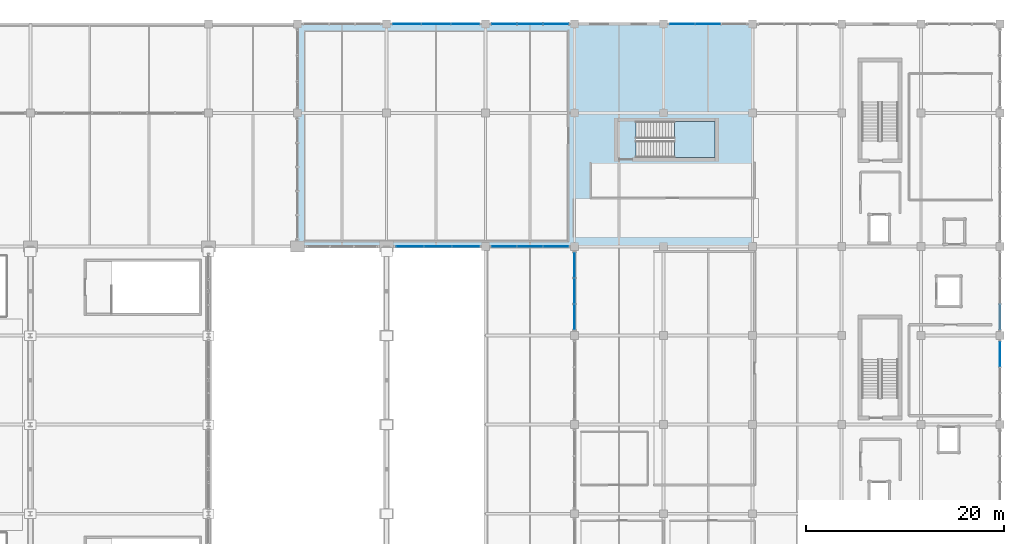
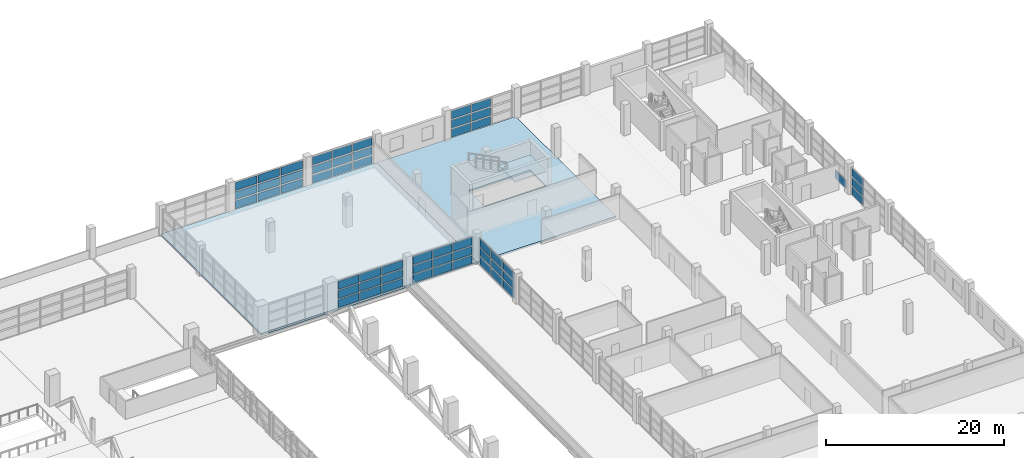
# One storey, part 114 of 136: 55 plates, 3 slabs, 9 elements without a shape of their own.
"""IFC4 building model written with IfcOpenShell, lengths in metres."""

from ifc_helpers import new_model, si_unit, direction, frame, origin, origin_2d, place, context, subcontext, project, spatial, polyline, rectangle, outline, extrude, material, layer, layer_set, type_object, element, aggregate, save


model = new_model("IFC4")

# Units and contexts
model_context = context("Model", 3, precision=1e-05, world=origin(), true_north=direction((0.0, 1.0)))
body_context = subcontext(model_context, "Body", "Model", "MODEL_VIEW")
ifc_project = project(units=[si_unit("LENGTHUNIT", "METRE"), si_unit("AREAUNIT", "SQUARE_METRE"), si_unit("VOLUMEUNIT", "CUBIC_METRE"), si_unit("PLANEANGLEUNIT", "RADIAN"), si_unit("MASSUNIT", "GRAM", prefix="KILO")], contexts=[model_context])

# Site, building, storey
site_placement = place(None, origin())
site = spatial("IfcSite", under=ifc_project, at=site_placement, CompositionType="ELEMENT")
building_placement = place(site_placement, origin())
building = spatial("IfcBuilding", under=site, at=building_placement, Name="Chuanluo Vaults Station", CompositionType="ELEMENT")
storey_placement = place(building_placement, frame((0.0, 0.0, 6.60009765625)))
storey = spatial("IfcBuildingStorey", under=building, at=storey_placement, Name="L01", CompositionType="ELEMENT", Elevation=6.60009765625)

# Curtain wall, plates
ifc_material_1 = material(Name="Anodised aluminium 6063-T6", Category="aluminium")
curtain_wall_type_1 = type_object("IfcCurtainWallType", Name="CW-SYS-13", PredefinedType="NOTDEFINED", material=ifc_material_1)
curtain_wall_1_placement = place(storey_placement, origin())
curtain_wall_1 = element("IfcCurtainWall", 1, at=curtain_wall_1_placement, inside=storey, type_object=curtain_wall_type_1, Name="Operations L01 facade CW", PredefinedType="NOTDEFINED")
ifc_material_2 = material(Name="Ceramic-fritted spandrel glass", Category="glass")
ifc_layer_1 = layer(ifc_material_2, 0.06396484375)
ifc_layer_set_1 = layer_set([ifc_layer_1], Name="Ceramic-fritted spandrel glass")
plate_type_1 = type_object("IfcPlateType", Name="CWP-SPN-42", PredefinedType="SHEET", material=ifc_layer_set_1)
plate_1_placement = place(storey_placement, frame((145.0, 96.38330078125, 0.080078125), z_axis=(0.0, 0.0, 1.0), x_axis=(0.0, 1.0, 0.0)))
plate_1 = element("IfcPlate", 2, at=plate_1_placement, type_object=plate_type_1, Name="Operations L01 facade CW glazed panel 1.1", PredefinedType="SHEET", context=body_context, shape_type="SweptSolid", body=[
    extrude(rectangle(XDim=2.456787109375, YDim=0.06396484375, at=origin_2d()), origin(), (0.0, 0.0, 1.0), 1.090087890625),
])
plate_2_placement = place(storey_placement, frame((145.0, 99.0, 0.080078125), z_axis=(0.0, 0.0, 1.0), x_axis=(0.0, 1.0, 0.0)))
plate_2 = element("IfcPlate", 3, at=plate_2_placement, type_object=plate_type_1, Name="Operations L01 facade CW glazed panel 2.1", PredefinedType="SHEET", context=body_context, shape_type="SweptSolid", body=[
    extrude(rectangle(XDim=2.456787109375, YDim=0.06396484375, at=origin_2d()), origin(), (0.0, 0.0, 1.0), 1.090087890625),
])
plate_3_placement = place(storey_placement, frame((145.0, 101.61669921875, 0.080078125), z_axis=(0.0, 0.0, 1.0), x_axis=(0.0, 1.0, 0.0)))
plate_3 = element("IfcPlate", 4, at=plate_3_placement, type_object=plate_type_1, Name="Operations L01 facade CW glazed panel 3.1", PredefinedType="SHEET", context=body_context, shape_type="SweptSolid", body=[
    extrude(rectangle(XDim=2.456787109375, YDim=0.06396484375, at=origin_2d()), origin(), (0.0, 0.0, 1.0), 1.090087890625),
])

ifc_material_3 = material(Name="Anodised aluminium 6063-T6", Category="aluminium")
curtain_wall_type_2 = type_object("IfcCurtainWallType", Name="CW-SYS-15", PredefinedType="NOTDEFINED", material=ifc_material_3)
curtain_wall_2_placement = place(storey_placement, origin())
curtain_wall_2 = element("IfcCurtainWall", 5, at=curtain_wall_2_placement, inside=storey, type_object=curtain_wall_type_2, Name="Operations L01 facade CW part 2", PredefinedType="NOTDEFINED")
plate_4_placement = place(storey_placement, frame((134.00830078125, 103.5, 0.080078125), z_axis=(0.0, 0.0, 1.0), x_axis=(-1.0, 0.0, 0.0)))
plate_4 = element("IfcPlate", 6, at=plate_4_placement, type_object=plate_type_1, Name="Operations L01 facade CW part 2 glazed panel 1.1", PredefinedType="SHEET", context=body_context, shape_type="SweptSolid", body=[
    extrude(rectangle(XDim=2.67333984375, YDim=0.06396484375, at=origin_2d()), origin(), (0.0, 0.0, 1.0), 1.090087890625),
])
plate_5_placement = place(storey_placement, frame((131.175048828125, 103.5, 0.080078125), z_axis=(0.0, 0.0, 1.0), x_axis=(-1.0, 0.0, 0.0)))
plate_5 = element("IfcPlate", 7, at=plate_5_placement, type_object=plate_type_1, Name="Operations L01 facade CW part 2 glazed panel 2.1", PredefinedType="SHEET", context=body_context, shape_type="SweptSolid", body=[
    extrude(rectangle(XDim=2.67333984375, YDim=0.06396484375, at=origin_2d()), origin(), (0.0, 0.0, 1.0), 1.090087890625),
])
plate_6_placement = place(storey_placement, frame((128.341552734375, 103.5, 0.080078125), z_axis=(0.0, 0.0, 1.0), x_axis=(-1.0, 0.0, 0.0)))
plate_6 = element("IfcPlate", 8, at=plate_6_placement, type_object=plate_type_1, Name="Operations L01 facade CW part 2 glazed panel 3.1", PredefinedType="SHEET", context=body_context, shape_type="SweptSolid", body=[
    extrude(rectangle(XDim=2.67333984375, YDim=0.06396484375, at=origin_2d()), origin(), (0.0, 0.0, 1.0), 1.090087890625),
])

ifc_material_4 = material(Name="Anodised aluminium 6063-T6", Category="aluminium")
curtain_wall_type_3 = type_object("IfcCurtainWallType", Name="CW-SYS-21", PredefinedType="NOTDEFINED", material=ifc_material_4)
curtain_wall_3_placement = place(storey_placement, origin())
curtain_wall_3 = element("IfcCurtainWall", 9, at=curtain_wall_3_placement, inside=storey, type_object=curtain_wall_type_3, Name="Operations L01 facade CW", PredefinedType="NOTDEFINED")
plate_7_placement = place(storey_placement, frame((137.88330078125, 126.0, 0.080078125), z_axis=(0.0, 0.0, 1.0), x_axis=(1.0, 0.0, 0.0)))
plate_7 = element("IfcPlate", 10, at=plate_7_placement, type_object=plate_type_1, Name="Operations L01 facade CW glazed panel 1.1", PredefinedType="SHEET", context=body_context, shape_type="SweptSolid", body=[
    extrude(rectangle(XDim=2.456787109375, YDim=0.06396484375, at=origin_2d()), origin(), (0.0, 0.0, 1.0), 1.090087890625),
])
plate_8_placement = place(storey_placement, frame((140.5, 126.0, 0.080078125), z_axis=(0.0, 0.0, 1.0), x_axis=(1.0, 0.0, 0.0)))
plate_8 = element("IfcPlate", 11, at=plate_8_placement, type_object=plate_type_1, Name="Operations L01 facade CW glazed panel 2.1", PredefinedType="SHEET", context=body_context, shape_type="SweptSolid", body=[
    extrude(rectangle(XDim=2.456787109375, YDim=0.06396484375, at=origin_2d()), origin(), (0.0, 0.0, 1.0), 1.090087890625),
])
plate_9_placement = place(storey_placement, frame((143.11669921875, 126.0, 0.080078125), z_axis=(0.0, 0.0, 1.0), x_axis=(1.0, 0.0, 0.0)))
plate_9 = element("IfcPlate", 12, at=plate_9_placement, type_object=plate_type_1, Name="Operations L01 facade CW glazed panel 3.1", PredefinedType="SHEET", context=body_context, shape_type="SweptSolid", body=[
    extrude(rectangle(XDim=2.456787109375, YDim=0.06396484375, at=origin_2d()), origin(), (0.0, 0.0, 1.0), 1.090087890625),
])

# Curtain wall, plate
ifc_material_5 = material(Name="Anodised aluminium 6063-T6", Category="aluminium")
curtain_wall_type_4 = type_object("IfcCurtainWallType", Name="CW-SYS-27", PredefinedType="NOTDEFINED", material=ifc_material_5)
curtain_wall_4_placement = place(storey_placement, origin())
curtain_wall_4 = element("IfcCurtainWall", 13, at=curtain_wall_4_placement, inside=storey, type_object=curtain_wall_type_4, Name="Operations L01 facade CW", PredefinedType="NOTDEFINED")
plate_10_placement = place(storey_placement, frame((188.0, 96.38330078125, 0.080078125), z_axis=(0.0, 0.0, 1.0), x_axis=(0.0, -1.0, 0.0)))
plate_10 = element("IfcPlate", 14, at=plate_10_placement, type_object=plate_type_1, Name="Operations L01 facade CW glazed panel 3.1", PredefinedType="SHEET", context=body_context, shape_type="SweptSolid", body=[
    extrude(rectangle(XDim=2.456787109375, YDim=0.06396484375, at=origin_2d()), origin(), (0.0, 0.0, 1.0), 1.090087890625),
])
aggregate(curtain_wall_4, [plate_10])

# Curtain wall, plates
ifc_material_6 = material(Name="Anodised aluminium 6063-T6", Category="aluminium")
curtain_wall_type_5 = type_object("IfcCurtainWallType", Name="CW-SYS-14", PredefinedType="NOTDEFINED", material=ifc_material_6)
curtain_wall_5_placement = place(storey_placement, origin())
curtain_wall_5 = element("IfcCurtainWall", 15, at=curtain_wall_5_placement, inside=storey, type_object=curtain_wall_type_5, Name="Operations L01 facade CW part 1", PredefinedType="NOTDEFINED")
ifc_material_7 = material(Name="Ceramic-fritted spandrel glass", Category="glass")
ifc_layer_2 = layer(ifc_material_7, 0.070068359375)
ifc_layer_set_2 = layer_set([ifc_layer_2], Name="Ceramic-fritted spandrel glass")
plate_type_2 = type_object("IfcPlateType", Name="CWP-SPN-50", PredefinedType="SHEET", material=ifc_layer_set_2)
plate_11_placement = place(storey_placement, frame((143.11669921875, 103.5, 0.080078125), z_axis=(0.0, 0.0, 1.0), x_axis=(-1.0, 0.0, 0.0)))
plate_11 = element("IfcPlate", 16, at=plate_11_placement, type_object=plate_type_2, Name="Operations L01 facade CW part 1 glazed panel 1.1", PredefinedType="SHEET", context=body_context, shape_type="SweptSolid", body=[
    extrude(rectangle(XDim=2.456787109375, YDim=0.070068359375, at=origin_2d()), origin(), (0.0, 0.0, 1.0), 1.090087890625),
])
plate_12_placement = place(storey_placement, frame((140.5, 103.5, 0.080078125), z_axis=(0.0, 0.0, 1.0), x_axis=(-1.0, 0.0, 0.0)))
plate_12 = element("IfcPlate", 17, at=plate_12_placement, type_object=plate_type_2, Name="Operations L01 facade CW part 1 glazed panel 2.1", PredefinedType="SHEET", context=body_context, shape_type="SweptSolid", body=[
    extrude(rectangle(XDim=2.456787109375, YDim=0.070068359375, at=origin_2d()), origin(), (0.0, 0.0, 1.0), 1.090087890625),
])
plate_13_placement = place(storey_placement, frame((137.88330078125, 103.5, 0.080078125), z_axis=(0.0, 0.0, 1.0), x_axis=(-1.0, 0.0, 0.0)))
plate_13 = element("IfcPlate", 18, at=plate_13_placement, type_object=plate_type_2, Name="Operations L01 facade CW part 1 glazed panel 3.1", PredefinedType="SHEET", context=body_context, shape_type="SweptSolid", body=[
    extrude(rectangle(XDim=2.456787109375, YDim=0.070068359375, at=origin_2d()), origin(), (0.0, 0.0, 1.0), 1.090087890625),
])

ifc_material_8 = material(Name="Anodised aluminium 6063-T6", Category="aluminium")
curtain_wall_type_6 = type_object("IfcCurtainWallType", Name="CW-SYS-20", PredefinedType="NOTDEFINED", material=ifc_material_8)
curtain_wall_6_placement = place(storey_placement, origin())
curtain_wall_6 = element("IfcCurtainWall", 19, at=curtain_wall_6_placement, inside=storey, type_object=curtain_wall_type_6, Name="Operations L01 facade CW", PredefinedType="NOTDEFINED")
plate_14_placement = place(storey_placement, frame((128.050048828125, 126.0, 0.080078125), z_axis=(0.0, 0.0, 1.0), x_axis=(1.0, 0.0, 0.0)))
plate_14 = element("IfcPlate", 20, at=plate_14_placement, type_object=plate_type_2, Name="Operations L01 facade CW glazed panel 1.1", PredefinedType="SHEET", context=body_context, shape_type="SweptSolid", body=[
    extrude(rectangle(XDim=2.7900390625, YDim=0.070068359375, at=origin_2d()), origin(), (0.0, 0.0, 1.0), 1.090087890625),
])
plate_15_placement = place(storey_placement, frame((131.0, 126.0, 0.080078125), z_axis=(0.0, 0.0, 1.0), x_axis=(1.0, 0.0, 0.0)))
plate_15 = element("IfcPlate", 21, at=plate_15_placement, type_object=plate_type_2, Name="Operations L01 facade CW glazed panel 2.1", PredefinedType="SHEET", context=body_context, shape_type="SweptSolid", body=[
    extrude(rectangle(XDim=2.7900390625, YDim=0.070068359375, at=origin_2d()), origin(), (0.0, 0.0, 1.0), 1.090087890625),
])
plate_16_placement = place(storey_placement, frame((133.949951171875, 126.0, 0.080078125), z_axis=(0.0, 0.0, 1.0), x_axis=(1.0, 0.0, 0.0)))
plate_16 = element("IfcPlate", 22, at=plate_16_placement, type_object=plate_type_2, Name="Operations L01 facade CW glazed panel 3.1", PredefinedType="SHEET", context=body_context, shape_type="SweptSolid", body=[
    extrude(rectangle(XDim=2.7900390625, YDim=0.070068359375, at=origin_2d()), origin(), (0.0, 0.0, 1.0), 1.090087890625),
])

ifc_material_9 = material(Name="Anodised aluminium 6063-T6", Category="aluminium")
curtain_wall_type_7 = type_object("IfcCurtainWallType", Name="CW-SYS-22", PredefinedType="NOTDEFINED", material=ifc_material_9)
curtain_wall_7_placement = place(storey_placement, origin())
curtain_wall_7 = element("IfcCurtainWall", 23, at=curtain_wall_7_placement, inside=storey, type_object=curtain_wall_type_7, Name="Operations L01 facade CW", PredefinedType="NOTDEFINED")
plate_17_placement = place(storey_placement, frame((155.88330078125, 126.0, 0.080078125), z_axis=(0.0, 0.0, 1.0), x_axis=(1.0, 0.0, 0.0)))
plate_17 = element("IfcPlate", 24, at=plate_17_placement, type_object=plate_type_2, Name="Operations L01 facade CW glazed panel 1.1", PredefinedType="SHEET", context=body_context, shape_type="SweptSolid", body=[
    extrude(rectangle(XDim=2.456787109375, YDim=0.070068359375, at=origin_2d()), origin(), (0.0, 0.0, 1.0), 1.090087890625),
])
plate_18_placement = place(storey_placement, frame((158.5, 126.0, 0.080078125), z_axis=(0.0, 0.0, 1.0), x_axis=(1.0, 0.0, 0.0)))
plate_18 = element("IfcPlate", 25, at=plate_18_placement, type_object=plate_type_2, Name="Operations L01 facade CW glazed panel 2.1", PredefinedType="SHEET", context=body_context, shape_type="SweptSolid", body=[
    extrude(rectangle(XDim=2.456787109375, YDim=0.070068359375, at=origin_2d()), origin(), (0.0, 0.0, 1.0), 1.090087890625),
])

# Curtain wall, plate
ifc_material_10 = material(Name="Anodised aluminium 6063-T6", Category="aluminium")
curtain_wall_type_8 = type_object("IfcCurtainWallType", Name="CW-SYS-26", PredefinedType="NOTDEFINED", material=ifc_material_10)
curtain_wall_8_placement = place(storey_placement, origin())
curtain_wall_8 = element("IfcCurtainWall", 26, at=curtain_wall_8_placement, inside=storey, type_object=curtain_wall_type_8, Name="Operations L01 facade CW", PredefinedType="NOTDEFINED")
plate_19_placement = place(storey_placement, frame((188.0, 92.61669921875, 0.080078125), z_axis=(0.0, 0.0, 1.0), x_axis=(0.0, -1.0, 0.0)))
plate_19 = element("IfcPlate", 27, at=plate_19_placement, type_object=plate_type_2, Name="Operations L01 facade CW glazed panel 1.1", PredefinedType="SHEET", context=body_context, shape_type="SweptSolid", body=[
    extrude(rectangle(XDim=2.456787109375, YDim=0.070068359375, at=origin_2d()), origin(), (0.0, 0.0, 1.0), 1.090087890625),
])

# Plate
ifc_material_11 = material(Name="Double-silver Low-E laminated glass", Category="glass")
ifc_layer_3 = layer(ifc_material_11, 0.0439453125)
ifc_layer_set_3 = layer_set([ifc_layer_3], Name="Double-silver Low-E laminated glass")
plate_type_3 = type_object("IfcPlateType", Name="CWP-VIS-28", PredefinedType="CURTAIN_PANEL", material=ifc_layer_set_3)
plate_20_placement = place(storey_placement, frame((128.050048828125, 126.0, 1.330078125), z_axis=(0.0, 0.0, 1.0), x_axis=(1.0, 0.0, 0.0)))
plate_20 = element("IfcPlate", 28, at=plate_20_placement, type_object=plate_type_3, Name="Operations L01 facade CW glazed panel 1.2", PredefinedType="CURTAIN_PANEL", context=body_context, shape_type="SweptSolid", body=[
    extrude(rectangle(XDim=2.7900390625, YDim=0.0439453125, at=origin_2d()), origin(), (0.0, 0.0, 1.0), 1.090087890625),
])

plate_21_placement = place(storey_placement, frame((128.050048828125, 126.0, 2.580078125), z_axis=(0.0, 0.0, 1.0), x_axis=(1.0, 0.0, 0.0)))
plate_21 = element("IfcPlate", 29, at=plate_21_placement, type_object=plate_type_3, Name="Operations L01 facade CW glazed panel 1.3", PredefinedType="CURTAIN_PANEL", context=body_context, shape_type="SweptSolid", body=[
    extrude(rectangle(XDim=2.7900390625, YDim=0.0439453125, at=origin_2d()), origin(), (0.0, 0.0, 1.0), 1.090087890625),
])

plate_22_placement = place(storey_placement, frame((131.0, 126.0, 1.330078125), z_axis=(0.0, 0.0, 1.0), x_axis=(1.0, 0.0, 0.0)))
plate_22 = element("IfcPlate", 30, at=plate_22_placement, type_object=plate_type_3, Name="Operations L01 facade CW glazed panel 2.2", PredefinedType="CURTAIN_PANEL", context=body_context, shape_type="SweptSolid", body=[
    extrude(rectangle(XDim=2.7900390625, YDim=0.0439453125, at=origin_2d()), origin(), (0.0, 0.0, 1.0), 1.090087890625),
])

plate_23_placement = place(storey_placement, frame((131.0, 126.0, 2.580078125), z_axis=(0.0, 0.0, 1.0), x_axis=(1.0, 0.0, 0.0)))
plate_23 = element("IfcPlate", 31, at=plate_23_placement, type_object=plate_type_3, Name="Operations L01 facade CW glazed panel 2.3", PredefinedType="CURTAIN_PANEL", context=body_context, shape_type="SweptSolid", body=[
    extrude(rectangle(XDim=2.7900390625, YDim=0.0439453125, at=origin_2d()), origin(), (0.0, 0.0, 1.0), 1.090087890625),
])

plate_24_placement = place(storey_placement, frame((133.949951171875, 126.0, 1.330078125), z_axis=(0.0, 0.0, 1.0), x_axis=(1.0, 0.0, 0.0)))
plate_24 = element("IfcPlate", 32, at=plate_24_placement, type_object=plate_type_3, Name="Operations L01 facade CW glazed panel 3.2", PredefinedType="CURTAIN_PANEL", context=body_context, shape_type="SweptSolid", body=[
    extrude(rectangle(XDim=2.7900390625, YDim=0.0439453125, at=origin_2d()), origin(), (0.0, 0.0, 1.0), 1.090087890625),
])

plate_25_placement = place(storey_placement, frame((133.949951171875, 126.0, 2.580078125), z_axis=(0.0, 0.0, 1.0), x_axis=(1.0, 0.0, 0.0)))
plate_25 = element("IfcPlate", 33, at=plate_25_placement, type_object=plate_type_3, Name="Operations L01 facade CW glazed panel 3.3", PredefinedType="CURTAIN_PANEL", context=body_context, shape_type="SweptSolid", body=[
    extrude(rectangle(XDim=2.7900390625, YDim=0.0439453125, at=origin_2d()), origin(), (0.0, 0.0, 1.0), 1.090087890625),
])

aggregate(curtain_wall_6, [plate_14, plate_20, plate_21, plate_15, plate_22, plate_23, plate_16, plate_24, plate_25])

ifc_material_12 = material(Name="Double-silver Low-E laminated glass", Category="glass")
ifc_layer_4 = layer(ifc_material_12, 0.048095703125)
ifc_layer_set_4 = layer_set([ifc_layer_4], Name="Double-silver Low-E laminated glass")
plate_type_4 = type_object("IfcPlateType", Name="CWP-VIS-32", PredefinedType="CURTAIN_PANEL", material=ifc_layer_set_4)
plate_26_placement = place(storey_placement, frame((134.00830078125, 103.5, 1.330078125), z_axis=(0.0, 0.0, 1.0), x_axis=(-1.0, 0.0, 0.0)))
plate_26 = element("IfcPlate", 34, at=plate_26_placement, type_object=plate_type_4, Name="Operations L01 facade CW part 2 glazed panel 1.2", PredefinedType="CURTAIN_PANEL", context=body_context, shape_type="SweptSolid", body=[
    extrude(rectangle(XDim=2.67333984375, YDim=0.048095703125, at=origin_2d()), origin(), (0.0, 0.0, 1.0), 1.090087890625),
])

plate_27_placement = place(storey_placement, frame((134.00830078125, 103.5, 2.580078125), z_axis=(0.0, 0.0, 1.0), x_axis=(-1.0, 0.0, 0.0)))
plate_27 = element("IfcPlate", 35, at=plate_27_placement, type_object=plate_type_4, Name="Operations L01 facade CW part 2 glazed panel 1.3", PredefinedType="CURTAIN_PANEL", context=body_context, shape_type="SweptSolid", body=[
    extrude(rectangle(XDim=2.67333984375, YDim=0.048095703125, at=origin_2d()), origin(), (0.0, 0.0, 1.0), 1.090087890625),
])

plate_28_placement = place(storey_placement, frame((131.175048828125, 103.5, 1.330078125), z_axis=(0.0, 0.0, 1.0), x_axis=(-1.0, 0.0, 0.0)))
plate_28 = element("IfcPlate", 36, at=plate_28_placement, type_object=plate_type_4, Name="Operations L01 facade CW part 2 glazed panel 2.2", PredefinedType="CURTAIN_PANEL", context=body_context, shape_type="SweptSolid", body=[
    extrude(rectangle(XDim=2.67333984375, YDim=0.048095703125, at=origin_2d()), origin(), (0.0, 0.0, 1.0), 1.090087890625),
])

plate_29_placement = place(storey_placement, frame((131.175048828125, 103.5, 2.580078125), z_axis=(0.0, 0.0, 1.0), x_axis=(-1.0, 0.0, 0.0)))
plate_29 = element("IfcPlate", 37, at=plate_29_placement, type_object=plate_type_4, Name="Operations L01 facade CW part 2 glazed panel 2.3", PredefinedType="CURTAIN_PANEL", context=body_context, shape_type="SweptSolid", body=[
    extrude(rectangle(XDim=2.67333984375, YDim=0.048095703125, at=origin_2d()), origin(), (0.0, 0.0, 1.0), 1.090087890625),
])

plate_30_placement = place(storey_placement, frame((128.341552734375, 103.5, 1.330078125), z_axis=(0.0, 0.0, 1.0), x_axis=(-1.0, 0.0, 0.0)))
plate_30 = element("IfcPlate", 38, at=plate_30_placement, type_object=plate_type_4, Name="Operations L01 facade CW part 2 glazed panel 3.2", PredefinedType="CURTAIN_PANEL", context=body_context, shape_type="SweptSolid", body=[
    extrude(rectangle(XDim=2.67333984375, YDim=0.048095703125, at=origin_2d()), origin(), (0.0, 0.0, 1.0), 1.090087890625),
])

plate_31_placement = place(storey_placement, frame((128.341552734375, 103.5, 2.580078125), z_axis=(0.0, 0.0, 1.0), x_axis=(-1.0, 0.0, 0.0)))
plate_31 = element("IfcPlate", 39, at=plate_31_placement, type_object=plate_type_4, Name="Operations L01 facade CW part 2 glazed panel 3.3", PredefinedType="CURTAIN_PANEL", context=body_context, shape_type="SweptSolid", body=[
    extrude(rectangle(XDim=2.67333984375, YDim=0.048095703125, at=origin_2d()), origin(), (0.0, 0.0, 1.0), 1.090087890625),
])

aggregate(curtain_wall_2, [plate_4, plate_26, plate_27, plate_5, plate_28, plate_29, plate_6, plate_30, plate_31])

ifc_material_13 = material(Name="Double-silver Low-E laminated glass", Category="glass")
ifc_layer_5 = layer(ifc_material_13, 0.053955078125)
ifc_layer_set_5 = layer_set([ifc_layer_5], Name="Double-silver Low-E laminated glass")
plate_type_5 = type_object("IfcPlateType", Name="CWP-VIS-36", PredefinedType="CURTAIN_PANEL", material=ifc_layer_set_5)
plate_32_placement = place(storey_placement, frame((143.11669921875, 103.5, 1.330078125), z_axis=(0.0, 0.0, 1.0), x_axis=(-1.0, 0.0, 0.0)))
plate_32 = element("IfcPlate", 40, at=plate_32_placement, type_object=plate_type_5, Name="Operations L01 facade CW part 1 glazed panel 1.2", PredefinedType="CURTAIN_PANEL", context=body_context, shape_type="SweptSolid", body=[
    extrude(rectangle(XDim=2.456787109375, YDim=0.053955078125, at=origin_2d()), origin(), (0.0, 0.0, 1.0), 1.090087890625),
])

plate_33_placement = place(storey_placement, frame((143.11669921875, 103.5, 2.580078125), z_axis=(0.0, 0.0, 1.0), x_axis=(-1.0, 0.0, 0.0)))
plate_33 = element("IfcPlate", 41, at=plate_33_placement, type_object=plate_type_5, Name="Operations L01 facade CW part 1 glazed panel 1.3", PredefinedType="CURTAIN_PANEL", context=body_context, shape_type="SweptSolid", body=[
    extrude(rectangle(XDim=2.456787109375, YDim=0.053955078125, at=origin_2d()), origin(), (0.0, 0.0, 1.0), 1.090087890625),
])

plate_34_placement = place(storey_placement, frame((140.5, 103.5, 1.330078125), z_axis=(0.0, 0.0, 1.0), x_axis=(-1.0, 0.0, 0.0)))
plate_34 = element("IfcPlate", 42, at=plate_34_placement, type_object=plate_type_5, Name="Operations L01 facade CW part 1 glazed panel 2.2", PredefinedType="CURTAIN_PANEL", context=body_context, shape_type="SweptSolid", body=[
    extrude(rectangle(XDim=2.456787109375, YDim=0.053955078125, at=origin_2d()), origin(), (0.0, 0.0, 1.0), 1.090087890625),
])

plate_35_placement = place(storey_placement, frame((140.5, 103.5, 2.580078125), z_axis=(0.0, 0.0, 1.0), x_axis=(-1.0, 0.0, 0.0)))
plate_35 = element("IfcPlate", 43, at=plate_35_placement, type_object=plate_type_5, Name="Operations L01 facade CW part 1 glazed panel 2.3", PredefinedType="CURTAIN_PANEL", context=body_context, shape_type="SweptSolid", body=[
    extrude(rectangle(XDim=2.456787109375, YDim=0.053955078125, at=origin_2d()), origin(), (0.0, 0.0, 1.0), 1.090087890625),
])

plate_36_placement = place(storey_placement, frame((137.88330078125, 103.5, 1.330078125), z_axis=(0.0, 0.0, 1.0), x_axis=(-1.0, 0.0, 0.0)))
plate_36 = element("IfcPlate", 44, at=plate_36_placement, type_object=plate_type_5, Name="Operations L01 facade CW part 1 glazed panel 3.2", PredefinedType="CURTAIN_PANEL", context=body_context, shape_type="SweptSolid", body=[
    extrude(rectangle(XDim=2.456787109375, YDim=0.053955078125, at=origin_2d()), origin(), (0.0, 0.0, 1.0), 1.090087890625),
])

plate_37_placement = place(storey_placement, frame((137.88330078125, 103.5, 2.580078125), z_axis=(0.0, 0.0, 1.0), x_axis=(-1.0, 0.0, 0.0)))
plate_37 = element("IfcPlate", 45, at=plate_37_placement, type_object=plate_type_5, Name="Operations L01 facade CW part 1 glazed panel 3.3", PredefinedType="CURTAIN_PANEL", context=body_context, shape_type="SweptSolid", body=[
    extrude(rectangle(XDim=2.456787109375, YDim=0.053955078125, at=origin_2d()), origin(), (0.0, 0.0, 1.0), 1.090087890625),
])

aggregate(curtain_wall_5, [plate_11, plate_32, plate_33, plate_12, plate_34, plate_35, plate_13, plate_36, plate_37])

plate_38_placement = place(storey_placement, frame((155.88330078125, 126.0, 1.330078125), z_axis=(0.0, 0.0, 1.0), x_axis=(1.0, 0.0, 0.0)))
plate_38 = element("IfcPlate", 46, at=plate_38_placement, type_object=plate_type_5, Name="Operations L01 facade CW glazed panel 1.2", PredefinedType="CURTAIN_PANEL", context=body_context, shape_type="SweptSolid", body=[
    extrude(rectangle(XDim=2.456787109375, YDim=0.053955078125, at=origin_2d()), origin(), (0.0, 0.0, 1.0), 1.090087890625),
])

plate_39_placement = place(storey_placement, frame((155.88330078125, 126.0, 2.580078125), z_axis=(0.0, 0.0, 1.0), x_axis=(1.0, 0.0, 0.0)))
plate_39 = element("IfcPlate", 47, at=plate_39_placement, type_object=plate_type_5, Name="Operations L01 facade CW glazed panel 1.3", PredefinedType="CURTAIN_PANEL", context=body_context, shape_type="SweptSolid", body=[
    extrude(rectangle(XDim=2.456787109375, YDim=0.053955078125, at=origin_2d()), origin(), (0.0, 0.0, 1.0), 1.090087890625),
])

plate_40_placement = place(storey_placement, frame((158.5, 126.0, 1.330078125), z_axis=(0.0, 0.0, 1.0), x_axis=(1.0, 0.0, 0.0)))
plate_40 = element("IfcPlate", 48, at=plate_40_placement, type_object=plate_type_5, Name="Operations L01 facade CW glazed panel 2.2", PredefinedType="CURTAIN_PANEL", context=body_context, shape_type="SweptSolid", body=[
    extrude(rectangle(XDim=2.456787109375, YDim=0.053955078125, at=origin_2d()), origin(), (0.0, 0.0, 1.0), 1.090087890625),
])

plate_41_placement = place(storey_placement, frame((158.5, 126.0, 2.580078125), z_axis=(0.0, 0.0, 1.0), x_axis=(1.0, 0.0, 0.0)))
plate_41 = element("IfcPlate", 49, at=plate_41_placement, type_object=plate_type_5, Name="Operations L01 facade CW glazed panel 2.3", PredefinedType="CURTAIN_PANEL", context=body_context, shape_type="SweptSolid", body=[
    extrude(rectangle(XDim=2.456787109375, YDim=0.053955078125, at=origin_2d()), origin(), (0.0, 0.0, 1.0), 1.090087890625),
])

aggregate(curtain_wall_7, [plate_17, plate_38, plate_39, plate_18, plate_40, plate_41])

plate_42_placement = place(storey_placement, frame((188.0, 92.61669921875, 1.330078125), z_axis=(0.0, 0.0, 1.0), x_axis=(0.0, -1.0, 0.0)))
plate_42 = element("IfcPlate", 50, at=plate_42_placement, type_object=plate_type_5, Name="Operations L01 facade CW glazed panel 1.2", PredefinedType="CURTAIN_PANEL", context=body_context, shape_type="SweptSolid", body=[
    extrude(rectangle(XDim=2.456787109375, YDim=0.053955078125, at=origin_2d()), origin(), (0.0, 0.0, 1.0), 1.090087890625),
])

plate_43_placement = place(storey_placement, frame((188.0, 92.61669921875, 2.580078125), z_axis=(0.0, 0.0, 1.0), x_axis=(0.0, -1.0, 0.0)))
plate_43 = element("IfcPlate", 51, at=plate_43_placement, type_object=plate_type_5, Name="Operations L01 facade CW glazed panel 1.3", PredefinedType="CURTAIN_PANEL", context=body_context, shape_type="SweptSolid", body=[
    extrude(rectangle(XDim=2.456787109375, YDim=0.053955078125, at=origin_2d()), origin(), (0.0, 0.0, 1.0), 1.090087890625),
])

aggregate(curtain_wall_8, [plate_19, plate_42, plate_43])

ifc_material_14 = material(Name="Double-silver Low-E laminated glass", Category="glass")
ifc_layer_6 = layer(ifc_material_14, 0.05810546875)
ifc_layer_set_6 = layer_set([ifc_layer_6], Name="Double-silver Low-E laminated glass")
plate_type_6 = type_object("IfcPlateType", Name="CWP-VIS-38", PredefinedType="CURTAIN_PANEL", material=ifc_layer_set_6)
plate_44_placement = place(storey_placement, frame((145.0, 96.38330078125, 1.330078125), z_axis=(0.0, 0.0, 1.0), x_axis=(0.0, 1.0, 0.0)))
plate_44 = element("IfcPlate", 52, at=plate_44_placement, type_object=plate_type_6, Name="Operations L01 facade CW glazed panel 1.2", PredefinedType="CURTAIN_PANEL", context=body_context, shape_type="SweptSolid", body=[
    extrude(rectangle(XDim=2.456787109375, YDim=0.05810546875, at=origin_2d()), origin(), (0.0, 0.0, 1.0), 1.090087890625),
])

plate_45_placement = place(storey_placement, frame((145.0, 96.38330078125, 2.580078125), z_axis=(0.0, 0.0, 1.0), x_axis=(0.0, 1.0, 0.0)))
plate_45 = element("IfcPlate", 53, at=plate_45_placement, type_object=plate_type_6, Name="Operations L01 facade CW glazed panel 1.3", PredefinedType="CURTAIN_PANEL", context=body_context, shape_type="SweptSolid", body=[
    extrude(rectangle(XDim=2.456787109375, YDim=0.05810546875, at=origin_2d()), origin(), (0.0, 0.0, 1.0), 1.090087890625),
])

plate_46_placement = place(storey_placement, frame((145.0, 99.0, 1.330078125), z_axis=(0.0, 0.0, 1.0), x_axis=(0.0, 1.0, 0.0)))
plate_46 = element("IfcPlate", 54, at=plate_46_placement, type_object=plate_type_6, Name="Operations L01 facade CW glazed panel 2.2", PredefinedType="CURTAIN_PANEL", context=body_context, shape_type="SweptSolid", body=[
    extrude(rectangle(XDim=2.456787109375, YDim=0.05810546875, at=origin_2d()), origin(), (0.0, 0.0, 1.0), 1.090087890625),
])

plate_47_placement = place(storey_placement, frame((145.0, 99.0, 2.580078125), z_axis=(0.0, 0.0, 1.0), x_axis=(0.0, 1.0, 0.0)))
plate_47 = element("IfcPlate", 55, at=plate_47_placement, type_object=plate_type_6, Name="Operations L01 facade CW glazed panel 2.3", PredefinedType="CURTAIN_PANEL", context=body_context, shape_type="SweptSolid", body=[
    extrude(rectangle(XDim=2.456787109375, YDim=0.05810546875, at=origin_2d()), origin(), (0.0, 0.0, 1.0), 1.090087890625),
])

plate_48_placement = place(storey_placement, frame((145.0, 101.61669921875, 1.330078125), z_axis=(0.0, 0.0, 1.0), x_axis=(0.0, 1.0, 0.0)))
plate_48 = element("IfcPlate", 56, at=plate_48_placement, type_object=plate_type_6, Name="Operations L01 facade CW glazed panel 3.2", PredefinedType="CURTAIN_PANEL", context=body_context, shape_type="SweptSolid", body=[
    extrude(rectangle(XDim=2.456787109375, YDim=0.05810546875, at=origin_2d()), origin(), (0.0, 0.0, 1.0), 1.090087890625),
])

plate_49_placement = place(storey_placement, frame((145.0, 101.61669921875, 2.580078125), z_axis=(0.0, 0.0, 1.0), x_axis=(0.0, 1.0, 0.0)))
plate_49 = element("IfcPlate", 57, at=plate_49_placement, type_object=plate_type_6, Name="Operations L01 facade CW glazed panel 3.3", PredefinedType="CURTAIN_PANEL", context=body_context, shape_type="SweptSolid", body=[
    extrude(rectangle(XDim=2.456787109375, YDim=0.05810546875, at=origin_2d()), origin(), (0.0, 0.0, 1.0), 1.090087890625),
])

aggregate(curtain_wall_1, [plate_1, plate_44, plate_45, plate_2, plate_46, plate_47, plate_3, plate_48, plate_49])

plate_50_placement = place(storey_placement, frame((137.88330078125, 126.0, 1.330078125), z_axis=(0.0, 0.0, 1.0), x_axis=(1.0, 0.0, 0.0)))
plate_50 = element("IfcPlate", 58, at=plate_50_placement, type_object=plate_type_6, Name="Operations L01 facade CW glazed panel 1.2", PredefinedType="CURTAIN_PANEL", context=body_context, shape_type="SweptSolid", body=[
    extrude(rectangle(XDim=2.456787109375, YDim=0.05810546875, at=origin_2d()), origin(), (0.0, 0.0, 1.0), 1.090087890625),
])

plate_51_placement = place(storey_placement, frame((137.88330078125, 126.0, 2.580078125), z_axis=(0.0, 0.0, 1.0), x_axis=(1.0, 0.0, 0.0)))
plate_51 = element("IfcPlate", 59, at=plate_51_placement, type_object=plate_type_6, Name="Operations L01 facade CW glazed panel 1.3", PredefinedType="CURTAIN_PANEL", context=body_context, shape_type="SweptSolid", body=[
    extrude(rectangle(XDim=2.456787109375, YDim=0.05810546875, at=origin_2d()), origin(), (0.0, 0.0, 1.0), 1.090087890625),
])

plate_52_placement = place(storey_placement, frame((140.5, 126.0, 1.330078125), z_axis=(0.0, 0.0, 1.0), x_axis=(1.0, 0.0, 0.0)))
plate_52 = element("IfcPlate", 60, at=plate_52_placement, type_object=plate_type_6, Name="Operations L01 facade CW glazed panel 2.2", PredefinedType="CURTAIN_PANEL", context=body_context, shape_type="SweptSolid", body=[
    extrude(rectangle(XDim=2.456787109375, YDim=0.05810546875, at=origin_2d()), origin(), (0.0, 0.0, 1.0), 1.090087890625),
])

plate_53_placement = place(storey_placement, frame((140.5, 126.0, 2.580078125), z_axis=(0.0, 0.0, 1.0), x_axis=(1.0, 0.0, 0.0)))
plate_53 = element("IfcPlate", 61, at=plate_53_placement, type_object=plate_type_6, Name="Operations L01 facade CW glazed panel 2.3", PredefinedType="CURTAIN_PANEL", context=body_context, shape_type="SweptSolid", body=[
    extrude(rectangle(XDim=2.456787109375, YDim=0.05810546875, at=origin_2d()), origin(), (0.0, 0.0, 1.0), 1.090087890625),
])

plate_54_placement = place(storey_placement, frame((143.11669921875, 126.0, 1.330078125), z_axis=(0.0, 0.0, 1.0), x_axis=(1.0, 0.0, 0.0)))
plate_54 = element("IfcPlate", 62, at=plate_54_placement, type_object=plate_type_6, Name="Operations L01 facade CW glazed panel 3.2", PredefinedType="CURTAIN_PANEL", context=body_context, shape_type="SweptSolid", body=[
    extrude(rectangle(XDim=2.456787109375, YDim=0.05810546875, at=origin_2d()), origin(), (0.0, 0.0, 1.0), 1.090087890625),
])

plate_55_placement = place(storey_placement, frame((143.11669921875, 126.0, 2.580078125), z_axis=(0.0, 0.0, 1.0), x_axis=(1.0, 0.0, 0.0)))
plate_55 = element("IfcPlate", 63, at=plate_55_placement, type_object=plate_type_6, Name="Operations L01 facade CW glazed panel 3.3", PredefinedType="CURTAIN_PANEL", context=body_context, shape_type="SweptSolid", body=[
    extrude(rectangle(XDim=2.456787109375, YDim=0.05810546875, at=origin_2d()), origin(), (0.0, 0.0, 1.0), 1.090087890625),
])

aggregate(curtain_wall_3, [plate_7, plate_50, plate_51, plate_8, plate_52, plate_53, plate_9, plate_54, plate_55])

# Slab
ifc_material_15 = material(Name="Concrete C40", Category="concrete")
ifc_layer_7 = layer(ifc_material_15, 0.260009765625)
ifc_layer_set_7 = layer_set([ifc_layer_7], Name="Concrete C40")
slab_type_1 = type_object("IfcSlabType", Name="SLB-CON-260", PredefinedType="FLOOR", material=ifc_layer_set_7)
slab_1_placement = place(storey_placement, frame((0.0, 0.0, -0.260009765625)))
element("IfcSlab", 64, at=slab_1_placement, inside=storey, type_object=slab_type_1, Name="L01 OPSW slab 01", PredefinedType="FLOOR", context=body_context, shape_type="SweptSolid", body=[
    extrude(outline(polyline([(117.0, 103.5), (145.0, 103.5), (145.0, 126.0), (117.0, 126.0), (117.0, 103.5)])), origin(), (0.0, 0.0, 1.0), 0.260009765625),
])

# Stair, slab
ifc_material_16 = material(Name="Concrete C40", Category="concrete")
stair_type = type_object("IfcStairType", Name="STR-TWO-1600", PredefinedType="HALF_TURN_STAIR", material=ifc_material_16)
stair_placement = place(storey_placement, origin())
stair = element("IfcStair", 65, at=stair_placement, inside=storey, type_object=stair_type, Name="L01 ST-03", PredefinedType="HALF_TURN_STAIR")
ifc_material_17 = material(Name="Concrete C40", Category="concrete")
ifc_layer_8 = layer(ifc_material_17, 0.199951171875)
ifc_layer_set_8 = layer_set([ifc_layer_8], Name="Concrete C40")
slab_type_2 = type_object("IfcSlabType", Name="SLB-LND-200", PredefinedType="LANDING", material=ifc_layer_set_8)
slab_2_placement = place(storey_placement, frame((0.0, 0.0, 1.89990234375)))
slab_2 = element("IfcSlab", 66, at=slab_2_placement, type_object=slab_type_2, Name="ST-03 landing 1", PredefinedType="LANDING", context=body_context, shape_type="SweptSolid", body=[
    extrude(outline(polyline([(155.08740234375, 112.5), (159.172607421875, 112.5), (159.172607421875, 116.1201171875), (155.08740234375, 116.1201171875), (155.08740234375, 112.5)])), origin(), (0.0, 0.0, 1.0), 0.199951171875),
])
aggregate(stair, [slab_2])

# Slab
ifc_material_18 = material(Name="Concrete C40", Category="concrete")
ifc_layer_9 = layer(ifc_material_18, 0.239990234375)
ifc_layer_set_9 = layer_set([ifc_layer_9], Name="Concrete C40")
slab_type_3 = type_object("IfcSlabType", Name="SLB-OPS-240", PredefinedType="FLOOR", material=ifc_layer_set_9)
slab_3_placement = place(storey_placement, frame((0.0, 0.0, -0.239990234375)))
element("IfcSlab", 67, at=slab_3_placement, inside=storey, type_object=slab_type_3, Name="L01 OPS slab 03", PredefinedType="FLOOR", context=body_context, shape_type="SweptSolid", body=[
    extrude(outline(polyline([(145.0, 103.5), (163.0, 103.5), (163.0, 126.0), (145.0, 126.0), (145.0, 103.5)]), holes=[polyline([(151.19140625, 112.5), (159.172607421875, 112.5), (159.172607421875, 116.1201171875), (151.19140625, 116.1201171875), (151.19140625, 112.5)])]), origin(), (0.0, 0.0, 1.0), 0.239990234375),
])

save(model, "model.ifc")
